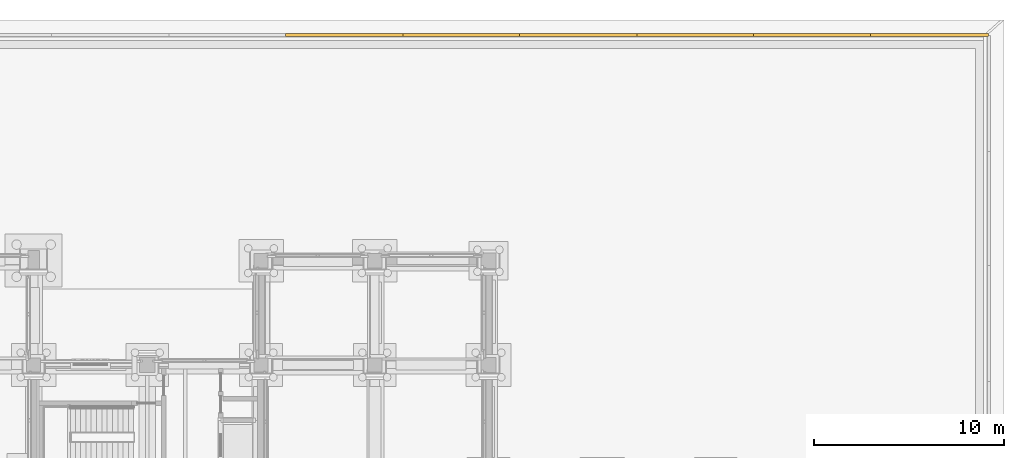
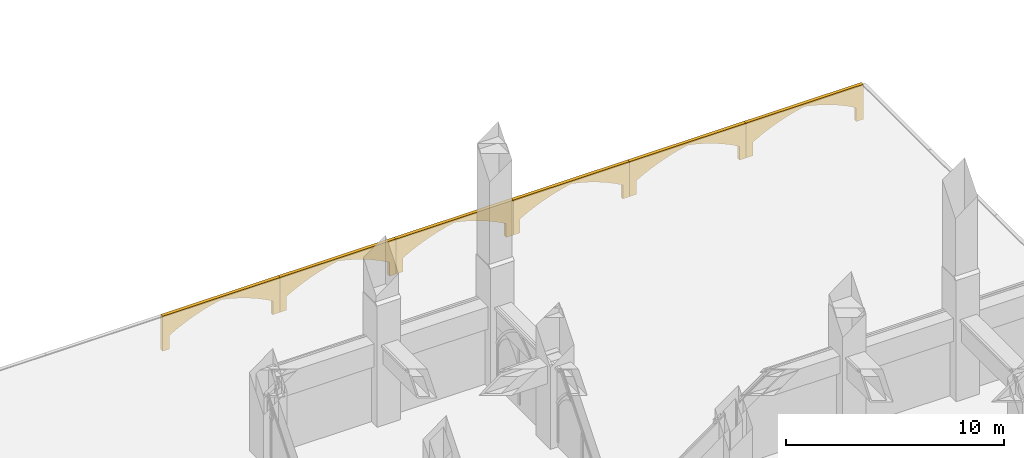
# One storey, part 134 of 135: 6 coverings.
"""IFC4 building model written with IfcOpenShell, lengths in metres."""

from ifc_helpers import new_model, si_unit, direction, frame, origin, place, context, subcontext, project, spatial, polyline, outline, extrude, material, type_object, element, save


model = new_model("IFC4")

# Units and contexts
model_context = context("Model", 3, precision=1e-05, world=origin(), true_north=direction((0.0, 1.0)))
body_context = subcontext(model_context, "Body", "Model", "MODEL_VIEW")
ifc_project = project(units=[si_unit("LENGTHUNIT", "METRE"), si_unit("AREAUNIT", "SQUARE_METRE"), si_unit("VOLUMEUNIT", "CUBIC_METRE"), si_unit("PLANEANGLEUNIT", "RADIAN"), si_unit("MASSUNIT", "GRAM", prefix="KILO")], contexts=[model_context])

# Site, building, storey
site_placement = place(None, origin())
site = spatial("IfcSite", under=ifc_project, at=site_placement, CompositionType="ELEMENT")
building_placement = place(site_placement, origin())
building = spatial("IfcBuilding", under=site, at=building_placement, Name="Cumevento Cable Car Station", CompositionType="ELEMENT")
storey_placement = place(building_placement, origin())
storey = spatial("IfcBuildingStorey", under=building, at=storey_placement, Name="L01", CompositionType="ELEMENT", Elevation=0.0)

# Coverings
ifc_material = material(Name="Gnaisse Facoidal Stone Ashlar 85 MPa", Category="masonry")
covering_type = type_object("IfcCoveringType", Name="Gnaisse Ashlar Cladding CV-CL01", PredefinedType="CLADDING", material=ifc_material)
for number, where, z_axis, x_axis, name in (
    (1, (162.176025390625, 68.35009765625, -1.919921875), (0.0, 0.0, 1.0), (1.0, 0.0, 0.0), "Gothic Ogival Pointed-Arch Stone Spandrel cumevento_plinth:plinth_arch:N:0"),
    (2, (156.001953125, 68.35009765625, -1.919921875), (0.0, 0.0, 1.0), (1.0, 0.0, 0.0), "Gothic Ogival Pointed-Arch Stone Spandrel cumevento_plinth:plinth_arch:N:1"),
    (3, (149.827880859375, 68.35009765625, -1.919921875), (0.0, 0.0, 1.0), (1.0, 0.0, 0.0), "Gothic Ogival Pointed-Arch Stone Spandrel cumevento_plinth:plinth_arch:N:2"),
    (4, (143.65380859375, 68.35009765625, -1.919921875), (0.0, 0.0, 1.0), (1.0, 0.0, 0.0), "Gothic Ogival Pointed-Arch Stone Spandrel cumevento_plinth:plinth_arch:N:3"),
    (5, (137.479736328125, 68.35009765625, -1.919921875), (0.0, 0.0, 1.0), (1.0, 0.0, 0.0), "Gothic Ogival Pointed-Arch Stone Spandrel cumevento_plinth:plinth_arch:N:4"),
    (6, (131.3056640625, 68.35009765625, -1.919921875), (0.0, 0.0, 1.0), (1.0, 0.0, 0.0), "Gothic Ogival Pointed-Arch Stone Spandrel cumevento_plinth:plinth_arch:N:5"),
):
    element("IfcCovering", number, at=place(storey_placement, frame(where, z_axis=z_axis, x_axis=x_axis)), inside=storey, type_object=covering_type, Name=name, PredefinedType="CLADDING", context=body_context, shape_type="SweptSolid", body=[
        extrude(outline(polyline([(-0.02001953125, 0.0), (-0.02001953125, 1.9599609375), (6.194091796875, 1.9599609375), (6.194091796875, 0.0), (5.81396484375, 0.0), (5.81396484375, 0.77001953125), (5.3857421875, 1.00390625), (4.945068359375, 1.213623046875), (4.493408203125, 1.3984375), (4.0322265625, 1.558349609375), (3.56298828125, 1.692138671875), (3.087158203125, 1.800048828125), (2.611083984375, 1.692138671875), (2.141845703125, 1.558349609375), (1.6806640625, 1.3984375), (1.22900390625, 1.213623046875), (0.788330078125, 1.00390625), (0.360107421875, 0.77001953125), (0.360107421875, 0.0), (-0.02001953125, 0.0)])), frame((0.0, 0.14990234375, 0.0), z_axis=(0.0, -1.0, 0.0), x_axis=(1.0, 0.0, 0.0)), (0.0, 0.0, 1.0), 0.179931640625),
    ])

save(model, "model.ifc")
